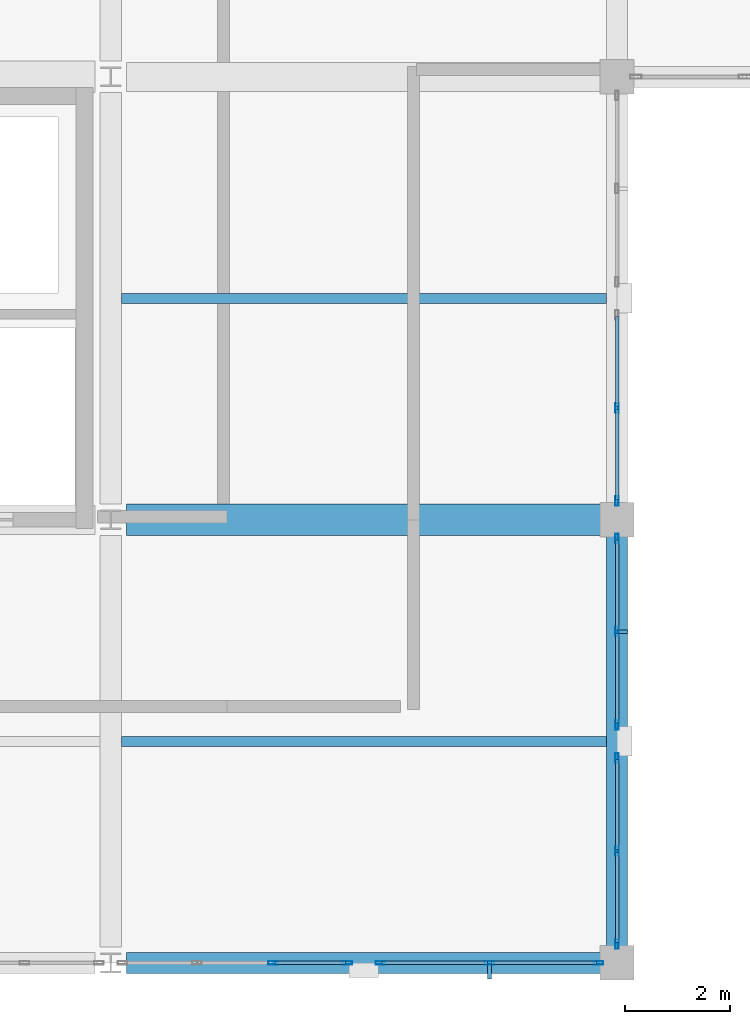
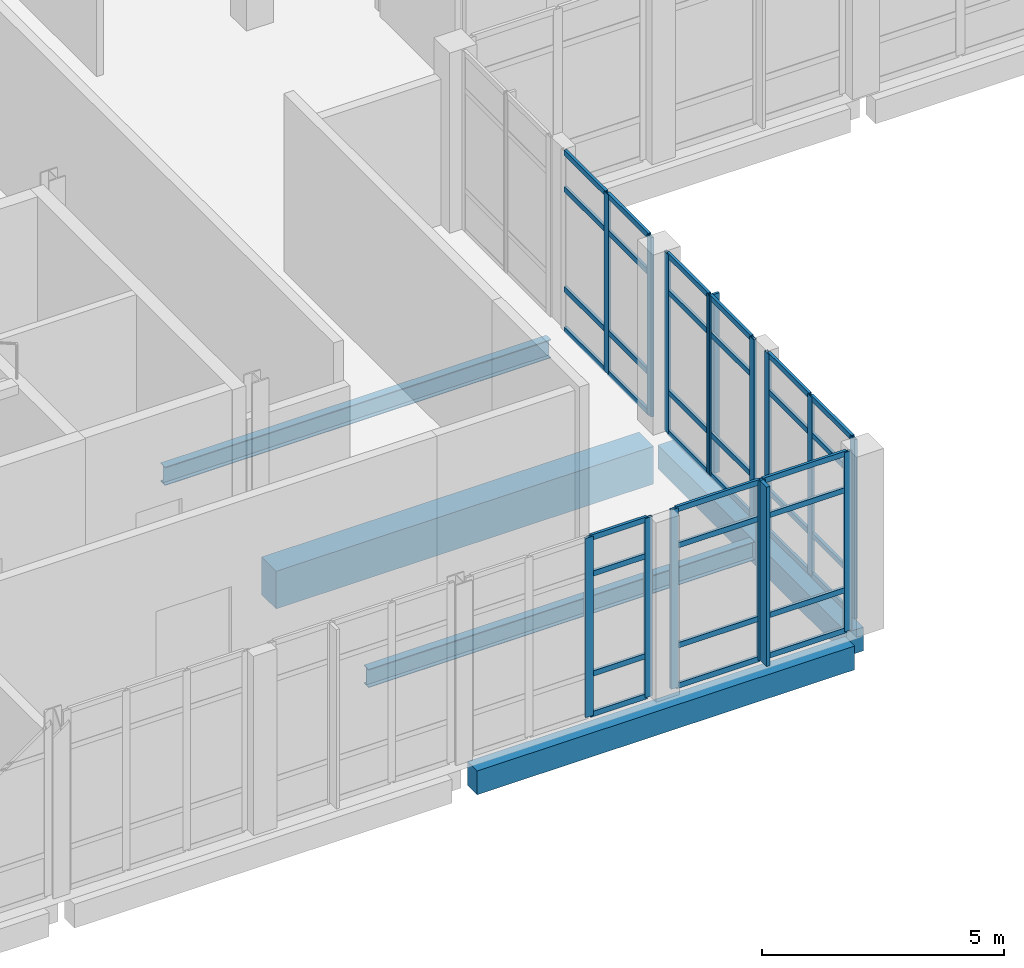
# One storey, part 22 of 102: 51 members, 5 beams, 5 elements without a shape of their own.
"""IFC4 building model written with IfcOpenShell, lengths in metres."""

from ifc_helpers import new_model, si_unit, direction, frame, origin, origin_2d, place, context, subcontext, project, spatial, rectangle, hollow_rectangle, i_section, extrude, material, layer, layer_set, material_profile, profile_set, type_object, element, aggregate, save


model = new_model("IFC4")

# Units and contexts
model_context = context("Model", 3, precision=1e-05, world=origin(), true_north=direction((0.0, 1.0)))
body_context = subcontext(model_context, "Body", "Model", "MODEL_VIEW")
ifc_project = project(units=[si_unit("LENGTHUNIT", "METRE"), si_unit("AREAUNIT", "SQUARE_METRE"), si_unit("VOLUMEUNIT", "CUBIC_METRE"), si_unit("PLANEANGLEUNIT", "RADIAN"), si_unit("MASSUNIT", "GRAM", prefix="KILO")], contexts=[model_context])

# Site, building, storey
site_placement = place(None, origin())
site = spatial("IfcSite", under=ifc_project, at=site_placement, CompositionType="ELEMENT")
building_placement = place(site_placement, origin())
building = spatial("IfcBuilding", under=site, at=building_placement, Name="Lornevale Opera House", CompositionType="ELEMENT")
storey_placement = place(building_placement, frame((0.0, 0.0, 5.39990234375)))
storey = spatial("IfcBuildingStorey", under=building, at=storey_placement, Name="L02", CompositionType="ELEMENT", Elevation=5.39990234375)

# Beams
ifc_material_1 = material(Name="Concrete 35 MPa (CSA A23.1 N)", Category="concrete")
ifc_material_profile_1 = material_profile(ifc_material_1, rectangle(XDim=0.60009765625, YDim=0.949951171875, at=origin_2d()), Name="RC600x950")
ifc_profile_set_1 = profile_set([ifc_material_profile_1], Name="Concrete 35 MPa (CSA A23.1 N)")
beam_type_1 = type_object("IfcBeamType", Name="Concrete Primary Girder 600x950", PredefinedType="USERDEFINED", material=ifc_profile_set_1)
beam_1_placement = place(storey_placement, frame((29.10009765625, 8.39990234375, -0.77490234375), z_axis=(1.0, 0.0, 0.0), x_axis=(0.0, 1.0, 0.0)))
element("IfcBeam", 1, at=beam_1_placement, inside=storey, type_object=beam_type_1, Name="Concrete Primary Girder 600x950 1677", ObjectType="GIRDER", PredefinedType="USERDEFINED", context=body_context, shape_type="SweptSolid", body=[
    extrude(rectangle(XDim=0.60009765625, YDim=0.949951171875, at=origin_2d()), origin(), (0.0, 0.0, 1.0), 9.0),
])
ifc_material_profile_2 = material_profile(ifc_material_1, rectangle(XDim=0.39990234375, YDim=0.60009765625, at=origin_2d()), Name="RC400x600")
ifc_profile_set_2 = profile_set([ifc_material_profile_2], Name="Concrete 35 MPa (CSA A23.1 N)")
beam_type_2 = type_object("IfcBeamType", Name="Concrete Spandrel Beam 400x600", PredefinedType="SPANDREL", material=ifc_profile_set_2)
beam_2_placement = place(storey_placement, frame((29.10009765625, 0.0, -0.599853515625), z_axis=(1.0, 0.0, 0.0), x_axis=(0.0, 1.0, 0.0)))
element("IfcBeam", 2, at=beam_2_placement, inside=storey, type_object=beam_type_2, Name="Concrete Spandrel Beam 400x600 1674", PredefinedType="SPANDREL", context=body_context, shape_type="SweptSolid", body=[
    extrude(rectangle(XDim=0.39990234375, YDim=0.60009765625, at=origin_2d()), origin(), (0.0, 0.0, 1.0), 9.0),
])
beam_3_placement = place(storey_placement, frame((38.39990234375, 0.300048828125, -0.599853515625), z_axis=(0.0, 1.0, 0.0), x_axis=(-1.0, 0.0, 0.0)))
element("IfcBeam", 3, at=beam_3_placement, inside=storey, type_object=beam_type_2, Name="Concrete Spandrel Beam 400x600 1857", PredefinedType="SPANDREL", context=body_context, shape_type="SweptSolid", body=[
    extrude(rectangle(XDim=0.39990234375, YDim=0.60009765625, at=origin_2d()), origin(), (0.0, 0.0, 1.0), 7.800048828125),
])

# Curtain wall, members
ifc_material_2 = material(Name="Anodized Oxide-Green Aluminium Framing", Category="aluminium")
ifc_layer = layer(ifc_material_2, 0.175048828125)
ifc_layer_set = layer_set([ifc_layer], Name="Anodized Oxide-Green Aluminium Framing")
curtain_wall_type = type_object("IfcCurtainWallType", Name="Chamber Cloister Curtain Wall M1700", PredefinedType="NOTDEFINED", material=ifc_layer_set)
curtain_wall_1_placement = place(storey_placement, origin())
curtain_wall_1 = element("IfcCurtainWall", 4, at=curtain_wall_1_placement, inside=storey, type_object=curtain_wall_type, Name="Chamber Cloister Curtain Wall M1700 CW-045", PredefinedType="NOTDEFINED")
ifc_material_profile_3 = material_profile(ifc_material_2, hollow_rectangle(XDim=0.06494140625, YDim=0.179931640625, WallThickness=0.0048828125, at=origin_2d()), Name="ALU65x180x5")
ifc_profile_set_3 = profile_set([ifc_material_profile_3], Name="Anodized Oxide-Green Aluminium Framing")
member_type_1 = type_object("IfcMemberType", Name="Curtain Wall Mullion 65x180", PredefinedType="MULLION", material=ifc_profile_set_3)
member_1_placement = place(storey_placement, frame((38.04638671875, 0.0, 0.0), z_axis=(0.0, 0.0, 1.0), x_axis=(0.0, -1.0, 0.0)))
member_1 = element("IfcMember", 5, at=member_1_placement, type_object=member_type_1, Name="Curtain Wall Mullion 65x180 CW0933", PredefinedType="MULLION", context=body_context, shape_type="SweptSolid", body=[
    extrude(hollow_rectangle(XDim=0.06494140625, YDim=0.179931640625, WallThickness=0.0048828125, at=origin_2d()), origin(), (0.0, 0.0, 1.0), 4.52001953125),
])
member_2_placement = place(storey_placement, frame((35.9794921875, 0.0, 0.0), z_axis=(0.0, 0.0, 1.0), x_axis=(0.0, -1.0, 0.0)))
member_2 = element("IfcMember", 6, at=member_2_placement, type_object=member_type_1, Name="Curtain Wall Mullion 65x180 CW0934", PredefinedType="MULLION", context=body_context, shape_type="SweptSolid", body=[
    extrude(hollow_rectangle(XDim=0.06494140625, YDim=0.179931640625, WallThickness=0.0048828125, at=origin_2d()), origin(), (0.0, 0.0, 1.0), 4.52001953125),
])
member_3_placement = place(storey_placement, frame((33.91259765625, 0.0, 0.0), z_axis=(0.0, 0.0, 1.0), x_axis=(0.0, -1.0, 0.0)))
member_3 = element("IfcMember", 7, at=member_3_placement, type_object=member_type_1, Name="Curtain Wall Mullion 65x180 CW0935", PredefinedType="MULLION", context=body_context, shape_type="SweptSolid", body=[
    extrude(hollow_rectangle(XDim=0.06494140625, YDim=0.179931640625, WallThickness=0.0048828125, at=origin_2d()), origin(), (0.0, 0.0, 1.0), 4.52001953125),
])

curtain_wall_2_placement = place(storey_placement, origin())
curtain_wall_2 = element("IfcCurtainWall", 8, at=curtain_wall_2_placement, inside=storey, type_object=curtain_wall_type, Name="Chamber Cloister Curtain Wall M1700 CW-046", PredefinedType="NOTDEFINED")
member_4_placement = place(storey_placement, frame((33.28759765625, 0.0, 0.0), z_axis=(0.0, 0.0, 1.0), x_axis=(0.0, -1.0, 0.0)))
member_4 = element("IfcMember", 9, at=member_4_placement, type_object=member_type_1, Name="Curtain Wall Mullion 65x180 CW0950", PredefinedType="MULLION", context=body_context, shape_type="SweptSolid", body=[
    extrude(hollow_rectangle(XDim=0.06494140625, YDim=0.179931640625, WallThickness=0.0048828125, at=origin_2d()), origin(), (0.0, 0.0, 1.0), 4.52001953125),
])
member_5_placement = place(storey_placement, frame((31.877685546875, 0.0, 0.0), z_axis=(0.0, 0.0, 1.0), x_axis=(0.0, -1.0, 0.0)))
member_5 = element("IfcMember", 10, at=member_5_placement, type_object=member_type_1, Name="Curtain Wall Mullion 65x180 CW0951", PredefinedType="MULLION", context=body_context, shape_type="SweptSolid", body=[
    extrude(hollow_rectangle(XDim=0.06494140625, YDim=0.179931640625, WallThickness=0.0048828125, at=origin_2d()), origin(), (0.0, 0.0, 1.0), 4.52001953125),
])

curtain_wall_3_placement = place(storey_placement, origin())
curtain_wall_3 = element("IfcCurtainWall", 11, at=curtain_wall_3_placement, inside=storey, type_object=curtain_wall_type, Name="Chamber Cloister Curtain Wall M1700 CW-047", PredefinedType="NOTDEFINED")
member_6_placement = place(storey_placement, frame((38.39990234375, 8.04638671875, 0.0), z_axis=(0.0, 0.0, 1.0), x_axis=(1.0, 0.0, 0.0)))
member_6 = element("IfcMember", 12, at=member_6_placement, type_object=member_type_1, Name="Curtain Wall Mullion 65x180 CW0975", PredefinedType="MULLION", context=body_context, shape_type="SweptSolid", body=[
    extrude(hollow_rectangle(XDim=0.06494140625, YDim=0.179931640625, WallThickness=0.0048828125, at=origin_2d()), origin(), (0.0, 0.0, 1.0), 4.52001953125),
])
member_7_placement = place(storey_placement, frame((38.39990234375, 6.279541015625, 0.0), z_axis=(0.0, 0.0, 1.0), x_axis=(1.0, 0.0, 0.0)))
member_7 = element("IfcMember", 13, at=member_7_placement, type_object=member_type_1, Name="Curtain Wall Mullion 65x180 CW0976", PredefinedType="MULLION", context=body_context, shape_type="SweptSolid", body=[
    extrude(hollow_rectangle(XDim=0.06494140625, YDim=0.179931640625, WallThickness=0.0048828125, at=origin_2d()), origin(), (0.0, 0.0, 1.0), 4.52001953125),
])
member_8_placement = place(storey_placement, frame((38.39990234375, 4.512451171875, 0.0), z_axis=(0.0, 0.0, 1.0), x_axis=(1.0, 0.0, 0.0)))
member_8 = element("IfcMember", 14, at=member_8_placement, type_object=member_type_1, Name="Curtain Wall Mullion 65x180 CW0977", PredefinedType="MULLION", context=body_context, shape_type="SweptSolid", body=[
    extrude(hollow_rectangle(XDim=0.06494140625, YDim=0.179931640625, WallThickness=0.0048828125, at=origin_2d()), origin(), (0.0, 0.0, 1.0), 4.52001953125),
])

curtain_wall_4_placement = place(storey_placement, origin())
curtain_wall_4 = element("IfcCurtainWall", 15, at=curtain_wall_4_placement, inside=storey, type_object=curtain_wall_type, Name="Chamber Cloister Curtain Wall M1700 CW-048", PredefinedType="NOTDEFINED")
member_9_placement = place(storey_placement, frame((38.39990234375, 3.887451171875, 0.0), z_axis=(0.0, 0.0, 1.0), x_axis=(1.0, 0.0, 0.0)))
member_9 = element("IfcMember", 16, at=member_9_placement, type_object=member_type_1, Name="Curtain Wall Mullion 65x180 CW0992", PredefinedType="MULLION", context=body_context, shape_type="SweptSolid", body=[
    extrude(hollow_rectangle(XDim=0.06494140625, YDim=0.179931640625, WallThickness=0.0048828125, at=origin_2d()), origin(), (0.0, 0.0, 1.0), 4.52001953125),
])
member_10_placement = place(storey_placement, frame((38.39990234375, 2.12060546875, 0.0), z_axis=(0.0, 0.0, 1.0), x_axis=(1.0, 0.0, 0.0)))
member_10 = element("IfcMember", 17, at=member_10_placement, type_object=member_type_1, Name="Curtain Wall Mullion 65x180 CW0993", PredefinedType="MULLION", context=body_context, shape_type="SweptSolid", body=[
    extrude(hollow_rectangle(XDim=0.06494140625, YDim=0.179931640625, WallThickness=0.0048828125, at=origin_2d()), origin(), (0.0, 0.0, 1.0), 4.52001953125),
])
member_11_placement = place(storey_placement, frame((38.39990234375, 0.353515625, 0.0), z_axis=(0.0, 0.0, 1.0), x_axis=(1.0, 0.0, 0.0)))
member_11 = element("IfcMember", 18, at=member_11_placement, type_object=member_type_1, Name="Curtain Wall Mullion 65x180 CW0994", PredefinedType="MULLION", context=body_context, shape_type="SweptSolid", body=[
    extrude(hollow_rectangle(XDim=0.06494140625, YDim=0.179931640625, WallThickness=0.0048828125, at=origin_2d()), origin(), (0.0, 0.0, 1.0), 4.52001953125),
])

curtain_wall_5_placement = place(storey_placement, origin())
curtain_wall_5 = element("IfcCurtainWall", 19, at=curtain_wall_5_placement, inside=storey, type_object=curtain_wall_type, Name="Chamber Cloister Curtain Wall M1700 CW-050", PredefinedType="NOTDEFINED")
member_12_placement = place(storey_placement, frame((38.39990234375, 10.5205078125, 0.0), z_axis=(0.0, 0.0, 1.0), x_axis=(1.0, 0.0, 0.0)))
member_12 = element("IfcMember", 20, at=member_12_placement, type_object=member_type_1, Name="Curtain Wall Mullion 65x180 CW1027", PredefinedType="MULLION", context=body_context, shape_type="SweptSolid", body=[
    extrude(hollow_rectangle(XDim=0.06494140625, YDim=0.179931640625, WallThickness=0.0048828125, at=origin_2d()), origin(), (0.0, 0.0, 1.0), 4.52001953125),
])
member_13_placement = place(storey_placement, frame((38.39990234375, 8.75341796875, 0.0), z_axis=(0.0, 0.0, 1.0), x_axis=(1.0, 0.0, 0.0)))
member_13 = element("IfcMember", 21, at=member_13_placement, type_object=member_type_1, Name="Curtain Wall Mullion 65x180 CW1028", PredefinedType="MULLION", context=body_context, shape_type="SweptSolid", body=[
    extrude(hollow_rectangle(XDim=0.06494140625, YDim=0.179931640625, WallThickness=0.0048828125, at=origin_2d()), origin(), (0.0, 0.0, 1.0), 4.52001953125),
])

# Member
ifc_material_profile_4 = material_profile(ifc_material_2, hollow_rectangle(XDim=0.06494140625, YDim=0.135009765625, WallThickness=0.00390625, at=origin_2d()), Name="ALU65x135x4")
ifc_profile_set_4 = profile_set([ifc_material_profile_4], Name="Anodized Oxide-Green Aluminium Framing")
member_type_2 = type_object("IfcMemberType", Name="Curtain Wall Transom 65x135", PredefinedType="USERDEFINED", material=ifc_profile_set_4)
member_14_placement = place(storey_placement, frame((38.013916015625, 0.0, 0.03271484375), z_axis=(-1.0, 0.0, 0.0), x_axis=(0.0, -1.0, 0.0)))
member_14 = element("IfcMember", 22, at=member_14_placement, type_object=member_type_2, Name="Curtain Wall Transom 65x135 CW0936", ObjectType="TRANSOM", PredefinedType="USERDEFINED", context=body_context, shape_type="SweptSolid", body=[
    extrude(hollow_rectangle(XDim=0.06494140625, YDim=0.135009765625, WallThickness=0.00390625, at=origin_2d()), origin(), (0.0, 0.0, 1.0), 2.001953125),
])

member_15_placement = place(storey_placement, frame((38.013916015625, 0.0, 1.050048828125), z_axis=(-1.0, 0.0, 0.0), x_axis=(0.0, -1.0, 0.0)))
member_15 = element("IfcMember", 23, at=member_15_placement, type_object=member_type_2, Name="Curtain Wall Transom 65x135 CW0937", ObjectType="TRANSOM", PredefinedType="USERDEFINED", context=body_context, shape_type="SweptSolid", body=[
    extrude(hollow_rectangle(XDim=0.06494140625, YDim=0.135009765625, WallThickness=0.00390625, at=origin_2d()), origin(), (0.0, 0.0, 1.0), 2.001953125),
])

member_16_placement = place(storey_placement, frame((38.013916015625, 0.0, 3.570068359375), z_axis=(-1.0, 0.0, 0.0), x_axis=(0.0, -1.0, 0.0)))
member_16 = element("IfcMember", 24, at=member_16_placement, type_object=member_type_2, Name="Curtain Wall Transom 65x135 CW0938", ObjectType="TRANSOM", PredefinedType="USERDEFINED", context=body_context, shape_type="SweptSolid", body=[
    extrude(hollow_rectangle(XDim=0.06494140625, YDim=0.135009765625, WallThickness=0.00390625, at=origin_2d()), origin(), (0.0, 0.0, 1.0), 2.001953125),
])

member_17_placement = place(storey_placement, frame((38.013916015625, 0.0, 4.487548828125), z_axis=(-1.0, 0.0, 0.0), x_axis=(0.0, -1.0, 0.0)))
member_17 = element("IfcMember", 25, at=member_17_placement, type_object=member_type_2, Name="Curtain Wall Transom 65x135 CW0939", ObjectType="TRANSOM", PredefinedType="USERDEFINED", context=body_context, shape_type="SweptSolid", body=[
    extrude(hollow_rectangle(XDim=0.06494140625, YDim=0.135009765625, WallThickness=0.00390625, at=origin_2d()), origin(), (0.0, 0.0, 1.0), 2.001953125),
])

member_18_placement = place(storey_placement, frame((35.947021484375, 0.0, 0.03271484375), z_axis=(-1.0, 0.0, 0.0), x_axis=(0.0, -1.0, 0.0)))
member_18 = element("IfcMember", 26, at=member_18_placement, type_object=member_type_2, Name="Curtain Wall Transom 65x135 CW0943", ObjectType="TRANSOM", PredefinedType="USERDEFINED", context=body_context, shape_type="SweptSolid", body=[
    extrude(hollow_rectangle(XDim=0.06494140625, YDim=0.135009765625, WallThickness=0.00390625, at=origin_2d()), origin(), (0.0, 0.0, 1.0), 2.001953125),
])

member_19_placement = place(storey_placement, frame((35.947021484375, 0.0, 1.050048828125), z_axis=(-1.0, 0.0, 0.0), x_axis=(0.0, -1.0, 0.0)))
member_19 = element("IfcMember", 27, at=member_19_placement, type_object=member_type_2, Name="Curtain Wall Transom 65x135 CW0944", ObjectType="TRANSOM", PredefinedType="USERDEFINED", context=body_context, shape_type="SweptSolid", body=[
    extrude(hollow_rectangle(XDim=0.06494140625, YDim=0.135009765625, WallThickness=0.00390625, at=origin_2d()), origin(), (0.0, 0.0, 1.0), 2.001953125),
])

member_20_placement = place(storey_placement, frame((35.947021484375, 0.0, 3.570068359375), z_axis=(-1.0, 0.0, 0.0), x_axis=(0.0, -1.0, 0.0)))
member_20 = element("IfcMember", 28, at=member_20_placement, type_object=member_type_2, Name="Curtain Wall Transom 65x135 CW0945", ObjectType="TRANSOM", PredefinedType="USERDEFINED", context=body_context, shape_type="SweptSolid", body=[
    extrude(hollow_rectangle(XDim=0.06494140625, YDim=0.135009765625, WallThickness=0.00390625, at=origin_2d()), origin(), (0.0, 0.0, 1.0), 2.001953125),
])

member_21_placement = place(storey_placement, frame((35.947021484375, 0.0, 4.487548828125), z_axis=(-1.0, 0.0, 0.0), x_axis=(0.0, -1.0, 0.0)))
member_21 = element("IfcMember", 29, at=member_21_placement, type_object=member_type_2, Name="Curtain Wall Transom 65x135 CW0946", ObjectType="TRANSOM", PredefinedType="USERDEFINED", context=body_context, shape_type="SweptSolid", body=[
    extrude(hollow_rectangle(XDim=0.06494140625, YDim=0.135009765625, WallThickness=0.00390625, at=origin_2d()), origin(), (0.0, 0.0, 1.0), 2.001953125),
])

member_22_placement = place(storey_placement, frame((33.2548828125, 0.0, 0.03271484375), z_axis=(-1.0, 0.0, 0.0), x_axis=(0.0, -1.0, 0.0)))
member_22 = element("IfcMember", 30, at=member_22_placement, type_object=member_type_2, Name="Curtain Wall Transom 65x135 CW0954", ObjectType="TRANSOM", PredefinedType="USERDEFINED", context=body_context, shape_type="SweptSolid", body=[
    extrude(hollow_rectangle(XDim=0.06494140625, YDim=0.135009765625, WallThickness=0.00390625, at=origin_2d()), origin(), (0.0, 0.0, 1.0), 1.3447265625),
])

member_23_placement = place(storey_placement, frame((33.2548828125, 0.0, 1.050048828125), z_axis=(-1.0, 0.0, 0.0), x_axis=(0.0, -1.0, 0.0)))
member_23 = element("IfcMember", 31, at=member_23_placement, type_object=member_type_2, Name="Curtain Wall Transom 65x135 CW0955", ObjectType="TRANSOM", PredefinedType="USERDEFINED", context=body_context, shape_type="SweptSolid", body=[
    extrude(hollow_rectangle(XDim=0.06494140625, YDim=0.135009765625, WallThickness=0.00390625, at=origin_2d()), origin(), (0.0, 0.0, 1.0), 1.3447265625),
])

member_24_placement = place(storey_placement, frame((33.2548828125, 0.0, 3.570068359375), z_axis=(-1.0, 0.0, 0.0), x_axis=(0.0, -1.0, 0.0)))
member_24 = element("IfcMember", 32, at=member_24_placement, type_object=member_type_2, Name="Curtain Wall Transom 65x135 CW0956", ObjectType="TRANSOM", PredefinedType="USERDEFINED", context=body_context, shape_type="SweptSolid", body=[
    extrude(hollow_rectangle(XDim=0.06494140625, YDim=0.135009765625, WallThickness=0.00390625, at=origin_2d()), origin(), (0.0, 0.0, 1.0), 1.3447265625),
])

member_25_placement = place(storey_placement, frame((33.2548828125, 0.0, 4.487548828125), z_axis=(-1.0, 0.0, 0.0), x_axis=(0.0, -1.0, 0.0)))
member_25 = element("IfcMember", 33, at=member_25_placement, type_object=member_type_2, Name="Curtain Wall Transom 65x135 CW0957", ObjectType="TRANSOM", PredefinedType="USERDEFINED", context=body_context, shape_type="SweptSolid", body=[
    extrude(hollow_rectangle(XDim=0.06494140625, YDim=0.135009765625, WallThickness=0.00390625, at=origin_2d()), origin(), (0.0, 0.0, 1.0), 1.3447265625),
])

aggregate(curtain_wall_2, [member_4, member_5, member_22, member_23, member_24, member_25])

member_26_placement = place(storey_placement, frame((38.39990234375, 8.013916015625, 0.03271484375), z_axis=(0.0, -1.0, 0.0), x_axis=(1.0, 0.0, 0.0)))
member_26 = element("IfcMember", 34, at=member_26_placement, type_object=member_type_2, Name="Curtain Wall Transom 65x135 CW0978", ObjectType="TRANSOM", PredefinedType="USERDEFINED", context=body_context, shape_type="SweptSolid", body=[
    extrude(hollow_rectangle(XDim=0.06494140625, YDim=0.135009765625, WallThickness=0.00390625, at=origin_2d()), origin(), (0.0, 0.0, 1.0), 1.701904296875),
])

member_27_placement = place(storey_placement, frame((38.39990234375, 8.013916015625, 1.050048828125), z_axis=(0.0, -1.0, 0.0), x_axis=(1.0, 0.0, 0.0)))
member_27 = element("IfcMember", 35, at=member_27_placement, type_object=member_type_2, Name="Curtain Wall Transom 65x135 CW0979", ObjectType="TRANSOM", PredefinedType="USERDEFINED", context=body_context, shape_type="SweptSolid", body=[
    extrude(hollow_rectangle(XDim=0.06494140625, YDim=0.135009765625, WallThickness=0.00390625, at=origin_2d()), origin(), (0.0, 0.0, 1.0), 1.701904296875),
])

member_28_placement = place(storey_placement, frame((38.39990234375, 8.013916015625, 3.570068359375), z_axis=(0.0, -1.0, 0.0), x_axis=(1.0, 0.0, 0.0)))
member_28 = element("IfcMember", 36, at=member_28_placement, type_object=member_type_2, Name="Curtain Wall Transom 65x135 CW0980", ObjectType="TRANSOM", PredefinedType="USERDEFINED", context=body_context, shape_type="SweptSolid", body=[
    extrude(hollow_rectangle(XDim=0.06494140625, YDim=0.135009765625, WallThickness=0.00390625, at=origin_2d()), origin(), (0.0, 0.0, 1.0), 1.701904296875),
])

member_29_placement = place(storey_placement, frame((38.39990234375, 8.013916015625, 4.487548828125), z_axis=(0.0, -1.0, 0.0), x_axis=(1.0, 0.0, 0.0)))
member_29 = element("IfcMember", 37, at=member_29_placement, type_object=member_type_2, Name="Curtain Wall Transom 65x135 CW0981", ObjectType="TRANSOM", PredefinedType="USERDEFINED", context=body_context, shape_type="SweptSolid", body=[
    extrude(hollow_rectangle(XDim=0.06494140625, YDim=0.135009765625, WallThickness=0.00390625, at=origin_2d()), origin(), (0.0, 0.0, 1.0), 1.701904296875),
])

member_30_placement = place(storey_placement, frame((38.39990234375, 6.2470703125, 0.03271484375), z_axis=(0.0, -1.0, 0.0), x_axis=(1.0, 0.0, 0.0)))
member_30 = element("IfcMember", 38, at=member_30_placement, type_object=member_type_2, Name="Curtain Wall Transom 65x135 CW0985", ObjectType="TRANSOM", PredefinedType="USERDEFINED", context=body_context, shape_type="SweptSolid", body=[
    extrude(hollow_rectangle(XDim=0.06494140625, YDim=0.135009765625, WallThickness=0.00390625, at=origin_2d()), origin(), (0.0, 0.0, 1.0), 1.7021484375),
])

member_31_placement = place(storey_placement, frame((38.39990234375, 6.2470703125, 1.050048828125), z_axis=(0.0, -1.0, 0.0), x_axis=(1.0, 0.0, 0.0)))
member_31 = element("IfcMember", 39, at=member_31_placement, type_object=member_type_2, Name="Curtain Wall Transom 65x135 CW0986", ObjectType="TRANSOM", PredefinedType="USERDEFINED", context=body_context, shape_type="SweptSolid", body=[
    extrude(hollow_rectangle(XDim=0.06494140625, YDim=0.135009765625, WallThickness=0.00390625, at=origin_2d()), origin(), (0.0, 0.0, 1.0), 1.7021484375),
])

member_32_placement = place(storey_placement, frame((38.39990234375, 6.2470703125, 3.570068359375), z_axis=(0.0, -1.0, 0.0), x_axis=(1.0, 0.0, 0.0)))
member_32 = element("IfcMember", 40, at=member_32_placement, type_object=member_type_2, Name="Curtain Wall Transom 65x135 CW0987", ObjectType="TRANSOM", PredefinedType="USERDEFINED", context=body_context, shape_type="SweptSolid", body=[
    extrude(hollow_rectangle(XDim=0.06494140625, YDim=0.135009765625, WallThickness=0.00390625, at=origin_2d()), origin(), (0.0, 0.0, 1.0), 1.7021484375),
])

member_33_placement = place(storey_placement, frame((38.39990234375, 6.2470703125, 4.487548828125), z_axis=(0.0, -1.0, 0.0), x_axis=(1.0, 0.0, 0.0)))
member_33 = element("IfcMember", 41, at=member_33_placement, type_object=member_type_2, Name="Curtain Wall Transom 65x135 CW0988", ObjectType="TRANSOM", PredefinedType="USERDEFINED", context=body_context, shape_type="SweptSolid", body=[
    extrude(hollow_rectangle(XDim=0.06494140625, YDim=0.135009765625, WallThickness=0.00390625, at=origin_2d()), origin(), (0.0, 0.0, 1.0), 1.7021484375),
])

member_34_placement = place(storey_placement, frame((38.39990234375, 3.85498046875, 0.03271484375), z_axis=(0.0, -1.0, 0.0), x_axis=(1.0, 0.0, 0.0)))
member_34 = element("IfcMember", 42, at=member_34_placement, type_object=member_type_2, Name="Curtain Wall Transom 65x135 CW0995", ObjectType="TRANSOM", PredefinedType="USERDEFINED", context=body_context, shape_type="SweptSolid", body=[
    extrude(hollow_rectangle(XDim=0.06494140625, YDim=0.135009765625, WallThickness=0.00390625, at=origin_2d()), origin(), (0.0, 0.0, 1.0), 1.701904296875),
])

member_35_placement = place(storey_placement, frame((38.39990234375, 3.85498046875, 1.050048828125), z_axis=(0.0, -1.0, 0.0), x_axis=(1.0, 0.0, 0.0)))
member_35 = element("IfcMember", 43, at=member_35_placement, type_object=member_type_2, Name="Curtain Wall Transom 65x135 CW0996", ObjectType="TRANSOM", PredefinedType="USERDEFINED", context=body_context, shape_type="SweptSolid", body=[
    extrude(hollow_rectangle(XDim=0.06494140625, YDim=0.135009765625, WallThickness=0.00390625, at=origin_2d()), origin(), (0.0, 0.0, 1.0), 1.701904296875),
])

member_36_placement = place(storey_placement, frame((38.39990234375, 3.85498046875, 3.570068359375), z_axis=(0.0, -1.0, 0.0), x_axis=(1.0, 0.0, 0.0)))
member_36 = element("IfcMember", 44, at=member_36_placement, type_object=member_type_2, Name="Curtain Wall Transom 65x135 CW0997", ObjectType="TRANSOM", PredefinedType="USERDEFINED", context=body_context, shape_type="SweptSolid", body=[
    extrude(hollow_rectangle(XDim=0.06494140625, YDim=0.135009765625, WallThickness=0.00390625, at=origin_2d()), origin(), (0.0, 0.0, 1.0), 1.701904296875),
])

member_37_placement = place(storey_placement, frame((38.39990234375, 3.85498046875, 4.487548828125), z_axis=(0.0, -1.0, 0.0), x_axis=(1.0, 0.0, 0.0)))
member_37 = element("IfcMember", 45, at=member_37_placement, type_object=member_type_2, Name="Curtain Wall Transom 65x135 CW0998", ObjectType="TRANSOM", PredefinedType="USERDEFINED", context=body_context, shape_type="SweptSolid", body=[
    extrude(hollow_rectangle(XDim=0.06494140625, YDim=0.135009765625, WallThickness=0.00390625, at=origin_2d()), origin(), (0.0, 0.0, 1.0), 1.701904296875),
])

member_38_placement = place(storey_placement, frame((38.39990234375, 2.087890625, 0.03271484375), z_axis=(0.0, -1.0, 0.0), x_axis=(1.0, 0.0, 0.0)))
member_38 = element("IfcMember", 46, at=member_38_placement, type_object=member_type_2, Name="Curtain Wall Transom 65x135 CW1002", ObjectType="TRANSOM", PredefinedType="USERDEFINED", context=body_context, shape_type="SweptSolid", body=[
    extrude(hollow_rectangle(XDim=0.06494140625, YDim=0.135009765625, WallThickness=0.00390625, at=origin_2d()), origin(), (0.0, 0.0, 1.0), 1.701904296875),
])

member_39_placement = place(storey_placement, frame((38.39990234375, 2.087890625, 1.050048828125), z_axis=(0.0, -1.0, 0.0), x_axis=(1.0, 0.0, 0.0)))
member_39 = element("IfcMember", 47, at=member_39_placement, type_object=member_type_2, Name="Curtain Wall Transom 65x135 CW1003", ObjectType="TRANSOM", PredefinedType="USERDEFINED", context=body_context, shape_type="SweptSolid", body=[
    extrude(hollow_rectangle(XDim=0.06494140625, YDim=0.135009765625, WallThickness=0.00390625, at=origin_2d()), origin(), (0.0, 0.0, 1.0), 1.701904296875),
])

member_40_placement = place(storey_placement, frame((38.39990234375, 2.087890625, 3.570068359375), z_axis=(0.0, -1.0, 0.0), x_axis=(1.0, 0.0, 0.0)))
member_40 = element("IfcMember", 48, at=member_40_placement, type_object=member_type_2, Name="Curtain Wall Transom 65x135 CW1004", ObjectType="TRANSOM", PredefinedType="USERDEFINED", context=body_context, shape_type="SweptSolid", body=[
    extrude(hollow_rectangle(XDim=0.06494140625, YDim=0.135009765625, WallThickness=0.00390625, at=origin_2d()), origin(), (0.0, 0.0, 1.0), 1.701904296875),
])

member_41_placement = place(storey_placement, frame((38.39990234375, 2.087890625, 4.487548828125), z_axis=(0.0, -1.0, 0.0), x_axis=(1.0, 0.0, 0.0)))
member_41 = element("IfcMember", 49, at=member_41_placement, type_object=member_type_2, Name="Curtain Wall Transom 65x135 CW1005", ObjectType="TRANSOM", PredefinedType="USERDEFINED", context=body_context, shape_type="SweptSolid", body=[
    extrude(hollow_rectangle(XDim=0.06494140625, YDim=0.135009765625, WallThickness=0.00390625, at=origin_2d()), origin(), (0.0, 0.0, 1.0), 1.701904296875),
])

aggregate(curtain_wall_4, [member_9, member_10, member_11, member_34, member_35, member_36, member_37, member_38, member_39, member_40, member_41])

member_42_placement = place(storey_placement, frame((38.39990234375, 12.2548828125, 0.03271484375), z_axis=(0.0, -1.0, 0.0), x_axis=(1.0, 0.0, 0.0)))
member_42 = element("IfcMember", 50, at=member_42_placement, type_object=member_type_2, Name="Curtain Wall Transom 65x135 CW1029", ObjectType="TRANSOM", PredefinedType="USERDEFINED", context=body_context, shape_type="SweptSolid", body=[
    extrude(hollow_rectangle(XDim=0.06494140625, YDim=0.135009765625, WallThickness=0.00390625, at=origin_2d()), origin(), (0.0, 0.0, 1.0), 1.701904296875),
])

member_43_placement = place(storey_placement, frame((38.39990234375, 12.2548828125, 1.050048828125), z_axis=(0.0, -1.0, 0.0), x_axis=(1.0, 0.0, 0.0)))
member_43 = element("IfcMember", 51, at=member_43_placement, type_object=member_type_2, Name="Curtain Wall Transom 65x135 CW1030", ObjectType="TRANSOM", PredefinedType="USERDEFINED", context=body_context, shape_type="SweptSolid", body=[
    extrude(hollow_rectangle(XDim=0.06494140625, YDim=0.135009765625, WallThickness=0.00390625, at=origin_2d()), origin(), (0.0, 0.0, 1.0), 1.701904296875),
])

member_44_placement = place(storey_placement, frame((38.39990234375, 12.2548828125, 3.570068359375), z_axis=(0.0, -1.0, 0.0), x_axis=(1.0, 0.0, 0.0)))
member_44 = element("IfcMember", 52, at=member_44_placement, type_object=member_type_2, Name="Curtain Wall Transom 65x135 CW1031", ObjectType="TRANSOM", PredefinedType="USERDEFINED", context=body_context, shape_type="SweptSolid", body=[
    extrude(hollow_rectangle(XDim=0.06494140625, YDim=0.135009765625, WallThickness=0.00390625, at=origin_2d()), origin(), (0.0, 0.0, 1.0), 1.701904296875),
])

member_45_placement = place(storey_placement, frame((38.39990234375, 12.2548828125, 4.487548828125), z_axis=(0.0, -1.0, 0.0), x_axis=(1.0, 0.0, 0.0)))
member_45 = element("IfcMember", 53, at=member_45_placement, type_object=member_type_2, Name="Curtain Wall Transom 65x135 CW1032", ObjectType="TRANSOM", PredefinedType="USERDEFINED", context=body_context, shape_type="SweptSolid", body=[
    extrude(hollow_rectangle(XDim=0.06494140625, YDim=0.135009765625, WallThickness=0.00390625, at=origin_2d()), origin(), (0.0, 0.0, 1.0), 1.701904296875),
])

member_46_placement = place(storey_placement, frame((38.39990234375, 10.488037109375, 0.03271484375), z_axis=(0.0, -1.0, 0.0), x_axis=(1.0, 0.0, 0.0)))
member_46 = element("IfcMember", 54, at=member_46_placement, type_object=member_type_2, Name="Curtain Wall Transom 65x135 CW1036", ObjectType="TRANSOM", PredefinedType="USERDEFINED", context=body_context, shape_type="SweptSolid", body=[
    extrude(hollow_rectangle(XDim=0.06494140625, YDim=0.135009765625, WallThickness=0.00390625, at=origin_2d()), origin(), (0.0, 0.0, 1.0), 1.7021484375),
])

member_47_placement = place(storey_placement, frame((38.39990234375, 10.488037109375, 1.050048828125), z_axis=(0.0, -1.0, 0.0), x_axis=(1.0, 0.0, 0.0)))
member_47 = element("IfcMember", 55, at=member_47_placement, type_object=member_type_2, Name="Curtain Wall Transom 65x135 CW1037", ObjectType="TRANSOM", PredefinedType="USERDEFINED", context=body_context, shape_type="SweptSolid", body=[
    extrude(hollow_rectangle(XDim=0.06494140625, YDim=0.135009765625, WallThickness=0.00390625, at=origin_2d()), origin(), (0.0, 0.0, 1.0), 1.7021484375),
])

member_48_placement = place(storey_placement, frame((38.39990234375, 10.488037109375, 3.570068359375), z_axis=(0.0, -1.0, 0.0), x_axis=(1.0, 0.0, 0.0)))
member_48 = element("IfcMember", 56, at=member_48_placement, type_object=member_type_2, Name="Curtain Wall Transom 65x135 CW1038", ObjectType="TRANSOM", PredefinedType="USERDEFINED", context=body_context, shape_type="SweptSolid", body=[
    extrude(hollow_rectangle(XDim=0.06494140625, YDim=0.135009765625, WallThickness=0.00390625, at=origin_2d()), origin(), (0.0, 0.0, 1.0), 1.7021484375),
])

member_49_placement = place(storey_placement, frame((38.39990234375, 10.488037109375, 4.487548828125), z_axis=(0.0, -1.0, 0.0), x_axis=(1.0, 0.0, 0.0)))
member_49 = element("IfcMember", 57, at=member_49_placement, type_object=member_type_2, Name="Curtain Wall Transom 65x135 CW1039", ObjectType="TRANSOM", PredefinedType="USERDEFINED", context=body_context, shape_type="SweptSolid", body=[
    extrude(hollow_rectangle(XDim=0.06494140625, YDim=0.135009765625, WallThickness=0.00390625, at=origin_2d()), origin(), (0.0, 0.0, 1.0), 1.7021484375),
])

aggregate(curtain_wall_5, [member_12, member_13, member_42, member_43, member_44, member_45, member_46, member_47, member_48, member_49])

ifc_material_3 = material(Name="Architectural Bronze Solar Louvre Alloy", Category="metal")
ifc_material_profile_5 = material_profile(ifc_material_3, rectangle(XDim=0.06005859375, YDim=0.239990234375, at=origin_2d()), Name="FIN60x240")
ifc_profile_set_5 = profile_set([ifc_material_profile_5], Name="Architectural Bronze Solar Louvre Alloy")
member_type_3 = type_object("IfcMemberType", Name="Solar Shading Fin 60x240", PredefinedType="USERDEFINED", material=ifc_profile_set_5)
member_50_placement = place(storey_placement, frame((38.48388671875, 6.279541015625, 0.0), z_axis=(0.0, 0.0, 1.0), x_axis=(0.0, -1.0, 0.0)))
member_50 = element("IfcMember", 58, at=member_50_placement, type_object=member_type_3, Name="Solar Shading Fin 60x240 FIN0018", ObjectType="SOLAR FIN", PredefinedType="USERDEFINED", context=body_context, shape_type="SweptSolid", body=[
    extrude(rectangle(XDim=0.06005859375, YDim=0.239990234375, at=origin_2d()), origin(), (0.0, 0.0, 1.0), 4.52001953125),
])

aggregate(curtain_wall_3, [member_6, member_7, member_8, member_26, member_27, member_28, member_29, member_30, member_31, member_32, member_33, member_50])

ifc_material_profile_6 = material_profile(ifc_material_3, rectangle(XDim=0.080078125, YDim=0.360107421875, at=origin_2d()), Name="FIN80x360")
ifc_profile_set_6 = profile_set([ifc_material_profile_6], Name="Architectural Bronze Solar Louvre Alloy")
member_type_4 = type_object("IfcMemberType", Name="Solar Shading Fin 80x360", PredefinedType="USERDEFINED", material=ifc_profile_set_6)
member_51_placement = place(storey_placement, frame((35.9794921875, -0.1259765625, 0.0), z_axis=(0.0, 0.0, 1.0), x_axis=(-1.0, 0.0, 0.0)))
member_51 = element("IfcMember", 59, at=member_51_placement, type_object=member_type_4, Name="Solar Shading Fin 80x360 FIN0017", ObjectType="SOLAR FIN", PredefinedType="USERDEFINED", context=body_context, shape_type="SweptSolid", body=[
    extrude(rectangle(XDim=0.080078125, YDim=0.360107421875, at=origin_2d()), origin(), (0.0, 0.0, 1.0), 4.52001953125),
])

aggregate(curtain_wall_1, [member_1, member_2, member_3, member_14, member_15, member_16, member_17, member_18, member_19, member_20, member_21, member_51])

# Beams
ifc_material_4 = material(Name="Structural Steel CSA G40.21 Grade 350W (350 MPa)", Category="steel")
ifc_material_profile_7 = material_profile(ifc_material_4, i_section(OverallWidth=0.19189453125, OverallDepth=0.462890625, WebThickness=0.010498046875, FlangeThickness=0.017578125, at=origin_2d()), Name="W460x89")
ifc_profile_set_7 = profile_set([ifc_material_profile_7], Name="Structural Steel CSA G40.21 Grade 350W (350 MPa)")
beam_type_3 = type_object("IfcBeamType", Name="Steel Floor Joist W460x89", PredefinedType="JOIST", material=ifc_profile_set_7)
for number, where, z_axis, x_axis, name in (
    (60, (29.0, 4.199951171875, -0.54638671875), (1.0, 0.0, 0.0), (0.0, 1.0, 0.0), "Steel Floor Joist W460x89 1990"),
    (61, (29.0, 12.60009765625, -0.54638671875), (1.0, 0.0, 0.0), (0.0, 1.0, 0.0), "Steel Floor Joist W460x89 1991"),
):
    element("IfcBeam", number, at=place(storey_placement, frame(where, z_axis=z_axis, x_axis=x_axis)), inside=storey, type_object=beam_type_3, Name=name, PredefinedType="JOIST", context=body_context, shape_type="SweptSolid", body=[
        extrude(i_section(OverallWidth=0.19189453125, OverallDepth=0.462890625, WebThickness=0.010498046875, FlangeThickness=0.017578125, at=origin_2d()), origin(), (0.0, 0.0, 1.0), 9.199951171875),
    ])

save(model, "model.ifc")
